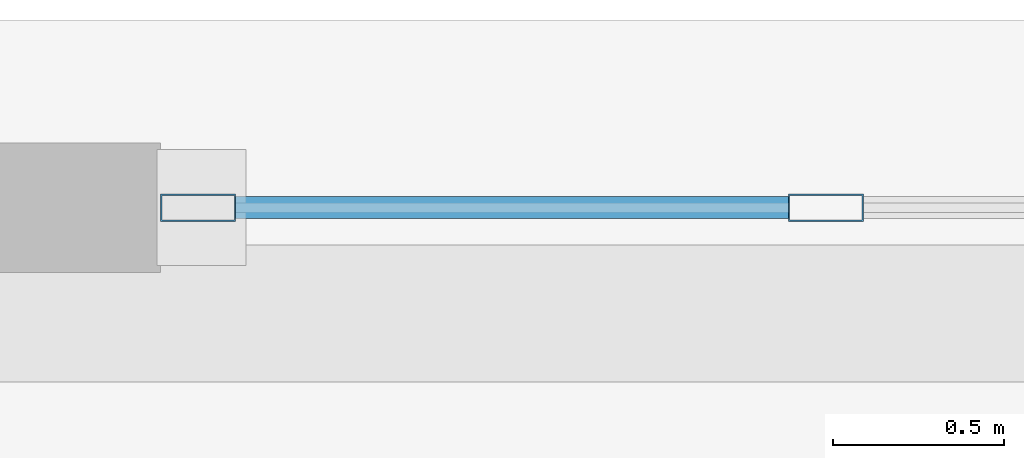
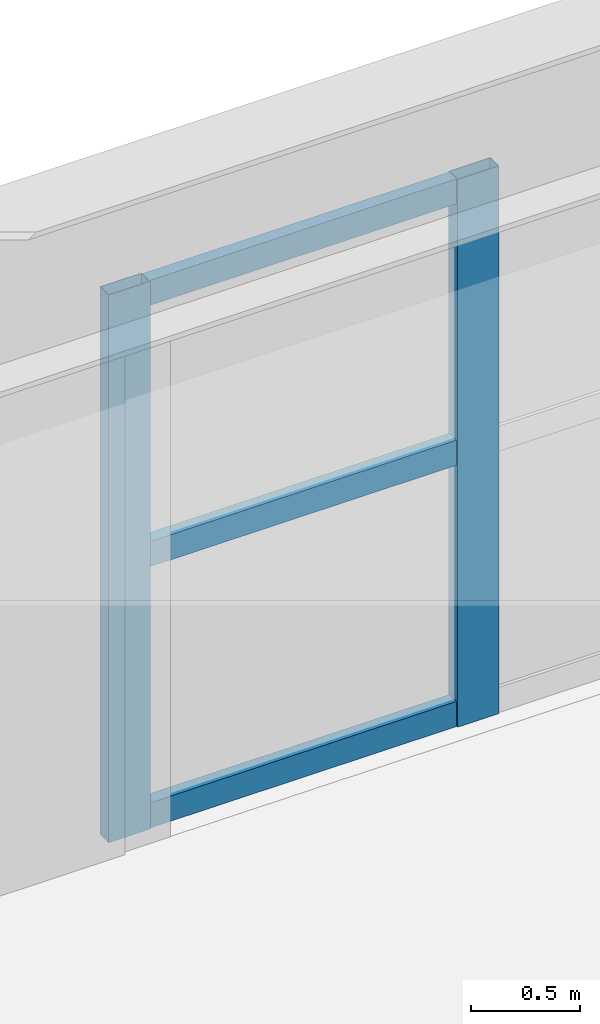
# One storey, part 8 of 22: 5 members, 1 element without a shape of its own.
"""IFC4 building model written with IfcOpenShell, lengths in metres."""

from ifc_helpers import new_model, si_unit, direction, frame, origin, origin_2d, place, context, subcontext, project, spatial, hollow_rectangle, extrude, material, layer, layer_set, material_profile, profile_set, type_object, element, aggregate, save


model = new_model("IFC4")

# Units and contexts
model_context = context("Model", 3, precision=1e-05, world=origin(), true_north=direction((0.0, 1.0)))
body_context = subcontext(model_context, "Body", "Model", "MODEL_VIEW")
ifc_project = project(units=[si_unit("LENGTHUNIT", "METRE"), si_unit("AREAUNIT", "SQUARE_METRE"), si_unit("VOLUMEUNIT", "CUBIC_METRE"), si_unit("PLANEANGLEUNIT", "RADIAN"), si_unit("MASSUNIT", "GRAM", prefix="KILO")], contexts=[model_context])

# Site, building, storey
site_placement = place(None, origin())
site = spatial("IfcSite", under=ifc_project, at=site_placement, CompositionType="ELEMENT")
building_placement = place(site_placement, origin())
building = spatial("IfcBuilding", under=site, at=building_placement, Name="Oramaril Tower", CompositionType="ELEMENT")
storey_placement = place(building_placement, frame((0.0, 0.0, 14.10009765625)))
storey = spatial("IfcBuildingStorey", under=building, at=storey_placement, Name="L03", CompositionType="ELEMENT", Elevation=14.10009765625)

# Curtain wall, members
ifc_material_1 = material(Name="Anodised Aluminium 6063-T6", Category="aluminium")
ifc_layer = layer(ifc_material_1, 0.219970703125)
ifc_layer_set = layer_set([ifc_layer], Name="CWT-SYS2")
curtain_wall_type = type_object("IfcCurtainWallType", Name="CWT-SYS2", PredefinedType="NOTDEFINED", material=ifc_layer_set)
curtain_wall_placement = place(storey_placement, origin())
curtain_wall = element("IfcCurtainWall", 1, at=curtain_wall_placement, inside=storey, type_object=curtain_wall_type, Name="L03 Unitised Curtain Wall CW-2", PredefinedType="NOTDEFINED")
ifc_material_2 = material(Name="Anodised Aluminium 6063-T6", Category="aluminium")
ifc_material_profile_1 = material_profile(ifc_material_2, hollow_rectangle(XDim=0.080078125, YDim=0.219970703125, WallThickness=0.00390625, at=origin_2d()), Name="CWM220X80")
ifc_profile_set_1 = profile_set([ifc_material_profile_1], Name="Anodised Aluminium 6063-T6")
member_type_1 = type_object("IfcMemberType", Name="MT-CWM1", PredefinedType="MULLION", material=ifc_profile_set_1)
member_1_placement = place(storey_placement, frame((35.550048828125, 43.949951171875, 0.0), z_axis=(0.0, 0.0, 1.0), x_axis=(0.0, -1.0, 0.0)))
member_1 = element("IfcMember", 2, at=member_1_placement, type_object=member_type_1, Name="CW-2 mullion 4", PredefinedType="MULLION", context=body_context, shape_type="SweptSolid", body=[
    extrude(hollow_rectangle(XDim=0.080078125, YDim=0.219970703125, WallThickness=0.00390625, at=origin_2d()), origin(), (0.0, 0.0, 1.0), 3.053955078125),
])
member_2_placement = place(storey_placement, frame((33.7099609375, 43.949951171875, 0.0), z_axis=(0.0, 0.0, 1.0), x_axis=(0.0, -1.0, 0.0)))
member_2 = element("IfcMember", 3, at=member_2_placement, type_object=member_type_1, Name="CW-2 mullion 5", PredefinedType="MULLION", context=body_context, shape_type="SweptSolid", body=[
    extrude(hollow_rectangle(XDim=0.080078125, YDim=0.219970703125, WallThickness=0.00390625, at=origin_2d()), origin(), (0.0, 0.0, 1.0), 3.053955078125),
])
ifc_material_3 = material(Name="Anodised Aluminium 6063-T6", Category="aluminium")
ifc_material_profile_2 = material_profile(ifc_material_3, hollow_rectangle(XDim=0.06494140625, YDim=0.139892578125, WallThickness=0.00390625, at=origin_2d()), Name="CWT140X65")
ifc_profile_set_2 = profile_set([ifc_material_profile_2], Name="Anodised Aluminium 6063-T6")
member_type_2 = type_object("IfcMemberType", Name="MT-CWT2", PredefinedType="USERDEFINED", material=ifc_profile_set_2)
member_3_placement = place(storey_placement, frame((35.43994140625, 43.949951171875, 0.06982421875), z_axis=(-1.0, 0.0, 0.0), x_axis=(0.0, -1.0, 0.0)))
member_3 = element("IfcMember", 4, at=member_3_placement, type_object=member_type_2, Name="CW-2 transom 4.1", ObjectType="TRANSOM", PredefinedType="USERDEFINED", context=body_context, shape_type="SweptSolid", body=[
    extrude(hollow_rectangle(XDim=0.06494140625, YDim=0.139892578125, WallThickness=0.00390625, at=origin_2d()), origin(), (0.0, 0.0, 1.0), 1.619873046875),
])
member_4_placement = place(storey_placement, frame((35.43994140625, 43.949951171875, 1.52685546875), z_axis=(-1.0, 0.0, 0.0), x_axis=(0.0, -1.0, 0.0)))
member_4 = element("IfcMember", 5, at=member_4_placement, type_object=member_type_2, Name="CW-2 transom 4.2", ObjectType="TRANSOM", PredefinedType="USERDEFINED", context=body_context, shape_type="SweptSolid", body=[
    extrude(hollow_rectangle(XDim=0.06494140625, YDim=0.139892578125, WallThickness=0.00390625, at=origin_2d()), origin(), (0.0, 0.0, 1.0), 1.619873046875),
])
member_5_placement = place(storey_placement, frame((35.43994140625, 43.949951171875, 2.98388671875), z_axis=(-1.0, 0.0, 0.0), x_axis=(0.0, -1.0, 0.0)))
member_5 = element("IfcMember", 6, at=member_5_placement, type_object=member_type_2, Name="CW-2 transom 4.3", ObjectType="TRANSOM", PredefinedType="USERDEFINED", context=body_context, shape_type="SweptSolid", body=[
    extrude(hollow_rectangle(XDim=0.06494140625, YDim=0.139892578125, WallThickness=0.00390625, at=origin_2d()), origin(), (0.0, 0.0, 1.0), 1.619873046875),
])
aggregate(curtain_wall, [member_1, member_2, member_3, member_4, member_5])

save(model, "model.ifc")
